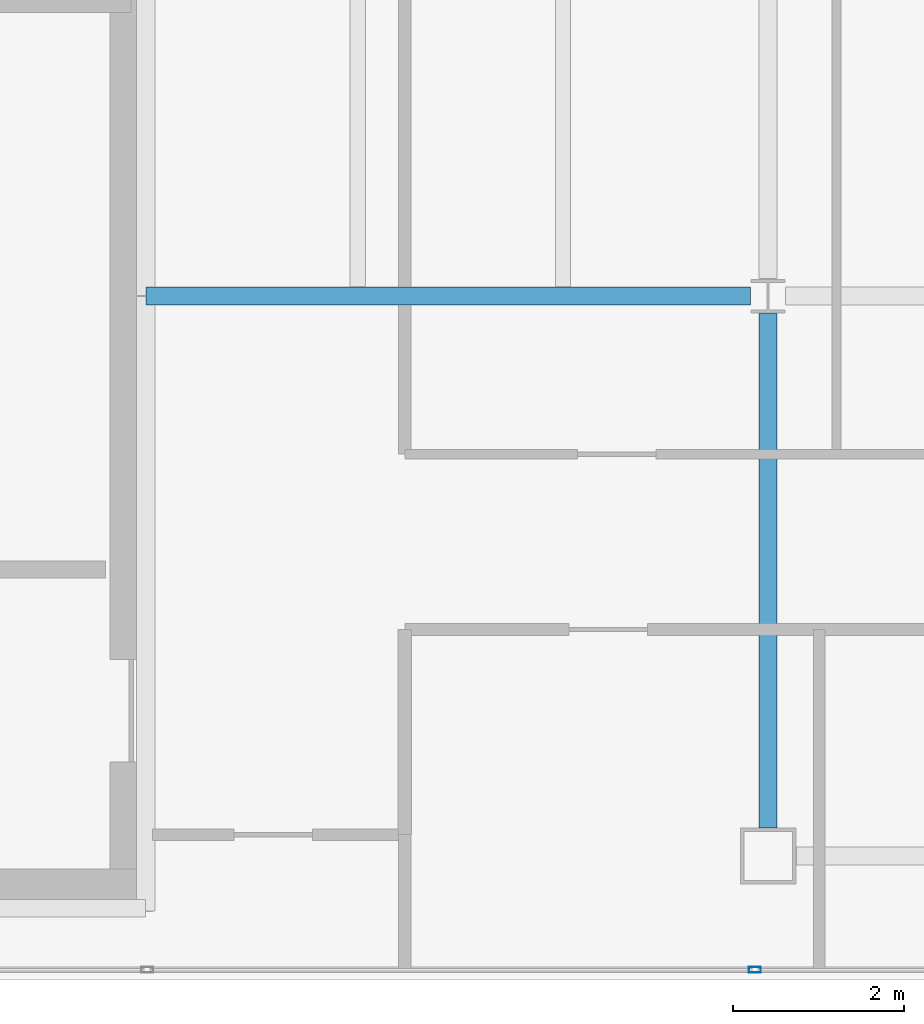
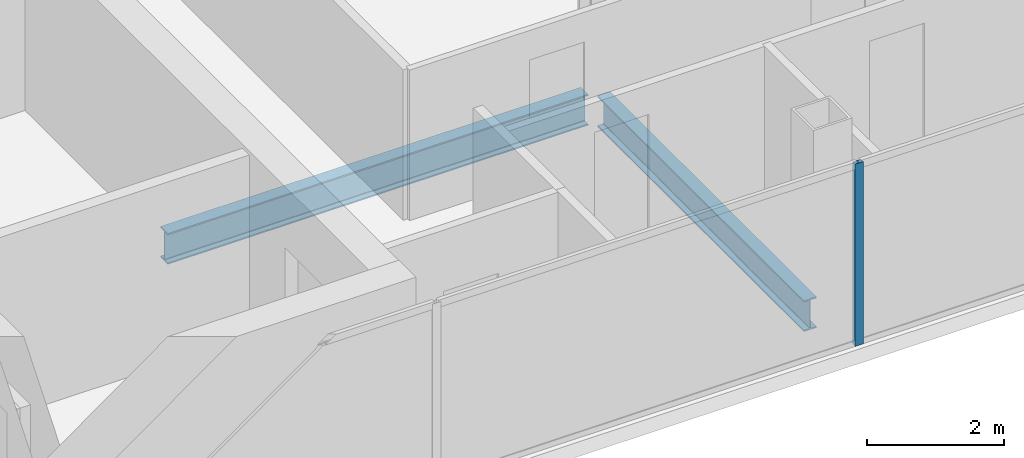
# One storey, part 5 of 23: 2 beams, 1 member, 1 element without a shape of its own.
"""IFC4 building model written with IfcOpenShell, lengths in metres."""

from ifc_helpers import new_model, si_unit, direction, frame, origin, origin_2d, place, context, subcontext, project, spatial, hollow_rectangle, i_section, extrude, material, material_profile, profile_set, type_object, element, aggregate, save


model = new_model("IFC4")

# Units and contexts
model_context = context("Model", 3, precision=1e-05, world=origin(), true_north=direction((0.0, 1.0)))
body_context = subcontext(model_context, "Body", "Model", "MODEL_VIEW")
ifc_project = project(units=[si_unit("LENGTHUNIT", "METRE"), si_unit("AREAUNIT", "SQUARE_METRE"), si_unit("VOLUMEUNIT", "CUBIC_METRE"), si_unit("PLANEANGLEUNIT", "RADIAN"), si_unit("MASSUNIT", "GRAM", prefix="KILO")], contexts=[model_context])

# Site, building, storey
site_placement = place(None, origin())
site = spatial("IfcSite", under=ifc_project, at=site_placement, CompositionType="ELEMENT")
building_placement = place(site_placement, origin())
building = spatial("IfcBuilding", under=site, at=building_placement, Name="Cobrela Telecom Tower", CompositionType="ELEMENT")
storey_placement = place(building_placement, frame((0.0, 0.0, 286.64990234375)))
storey = spatial("IfcBuildingStorey", under=building, at=storey_placement, Name="L75", CompositionType="ELEMENT", Elevation=286.64990234375)

# Beams
ifc_material_1 = material(Name="Steel ASTM A992 Grade 50", Category="steel")
ifc_material_profile_1 = material_profile(ifc_material_1, i_section(OverallWidth=0.212890625, OverallDepth=0.549072265625, WebThickness=0.0146484375, FlangeThickness=0.023681640625, FilletRadius=0.013916015625, at=origin_2d()), Name="W21X93")
ifc_profile_set_1 = profile_set([ifc_material_profile_1], Name="Steel ASTM A992 Grade 50")
beam_type = type_object("IfcBeamType", Name="BM-GIRD-08", PredefinedType="USERDEFINED", material=ifc_profile_set_1)
beam_1_placement = place(storey_placement, frame((14.324951171875, 14.39990234375, -0.534423828125), z_axis=(1.0, 0.0, 0.0), x_axis=(0.0, 1.0, 0.0)))
element("IfcBeam", 1, at=beam_1_placement, inside=storey, type_object=beam_type, Name="L75 Primary Girder X05", ObjectType="GIRDER", PredefinedType="USERDEFINED", context=body_context, shape_type="SweptSolid", body=[
    extrude(i_section(OverallWidth=0.212890625, OverallDepth=0.549072265625, WebThickness=0.0146484375, FlangeThickness=0.023681640625, FilletRadius=0.013916015625, at=origin_2d()), origin(), (0.0, 0.0, 1.0), 7.070556640625),
])
beam_2_placement = place(storey_placement, frame((21.60009765625, 8.179931640625, -0.534423828125), z_axis=(0.0, 1.0, 0.0), x_axis=(-1.0, 0.0, 0.0)))
element("IfcBeam", 2, at=beam_2_placement, inside=storey, type_object=beam_type, Name="L75 Primary Girder Y27", ObjectType="GIRDER", PredefinedType="USERDEFINED", context=body_context, shape_type="SweptSolid", body=[
    extrude(i_section(OverallWidth=0.212890625, OverallDepth=0.549072265625, WebThickness=0.0146484375, FlangeThickness=0.023681640625, FilletRadius=0.013916015625, at=origin_2d()), origin(), (0.0, 0.0, 1.0), 6.015625),
])

# Curtain wall, member
ifc_material_2 = material(Name="Anodized Bronze Aluminium 6063-T6", Category="aluminium")
curtain_wall_type = type_object("IfcCurtainWallType", Name="CW-SYS-OFF-HI", PredefinedType="USERDEFINED", material=ifc_material_2)
curtain_wall_placement = place(storey_placement, origin())
curtain_wall = element("IfcCurtainWall", 3, at=curtain_wall_placement, inside=storey, type_object=curtain_wall_type, Name="L75 Unitised Bronze Curtain Wall 15", ObjectType="UNITISED CURTAIN WALL", PredefinedType="USERDEFINED")
ifc_material_profile_2 = material_profile(ifc_material_2, hollow_rectangle(XDim=0.070068359375, YDim=0.139892578125, WallThickness=0.00390625, at=origin_2d()), Name="ALU 70x140x4")
ifc_profile_set_2 = profile_set([ifc_material_profile_2], Name="Anodized Bronze Aluminium 6063-T6")
member_type = type_object("IfcMemberType", Name="CW-SYS-OFF-HI-MUL", PredefinedType="MULLION", material=ifc_profile_set_2)
member_placement = place(storey_placement, frame((21.445068359375, 6.52001953125, 0.0), z_axis=(0.0, 0.0, 1.0), x_axis=(0.0, -1.0, 0.0)))
member = element("IfcMember", 4, at=member_placement, type_object=member_type, Name="CW-OFF-HI mullion 4", PredefinedType="MULLION", context=body_context, shape_type="SweptSolid", body=[
    extrude(hollow_rectangle(XDim=0.070068359375, YDim=0.139892578125, WallThickness=0.00390625, at=origin_2d()), origin(), (0.0, 0.0, 1.0), 3.239990234375),
])
aggregate(curtain_wall, [member])

save(model, "model.ifc")
